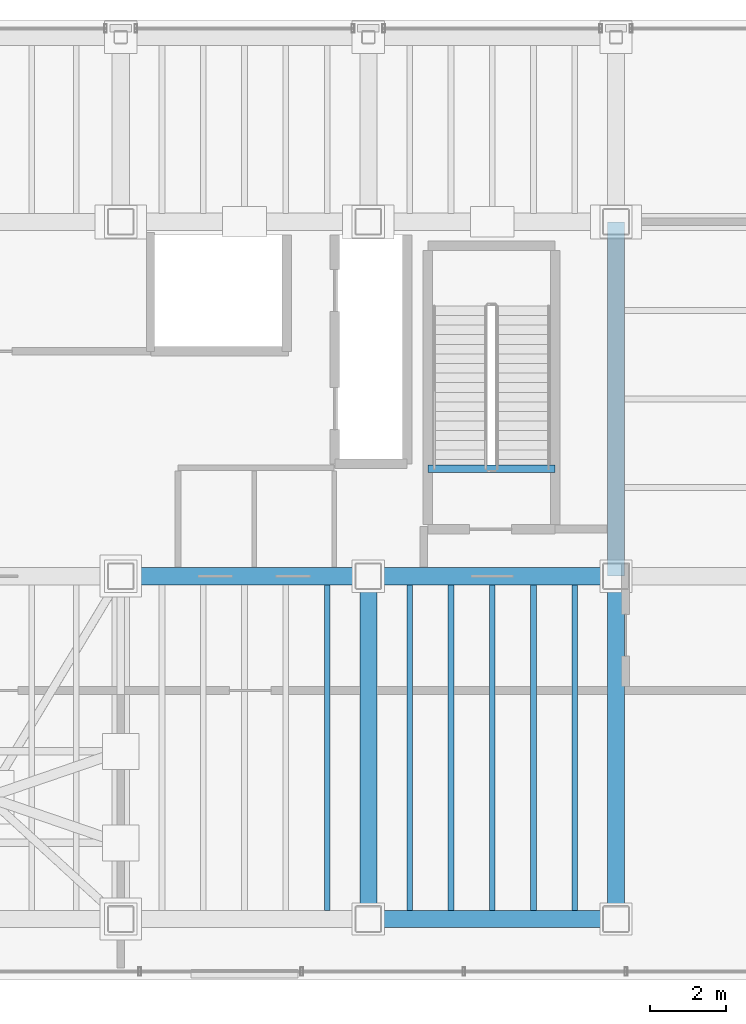
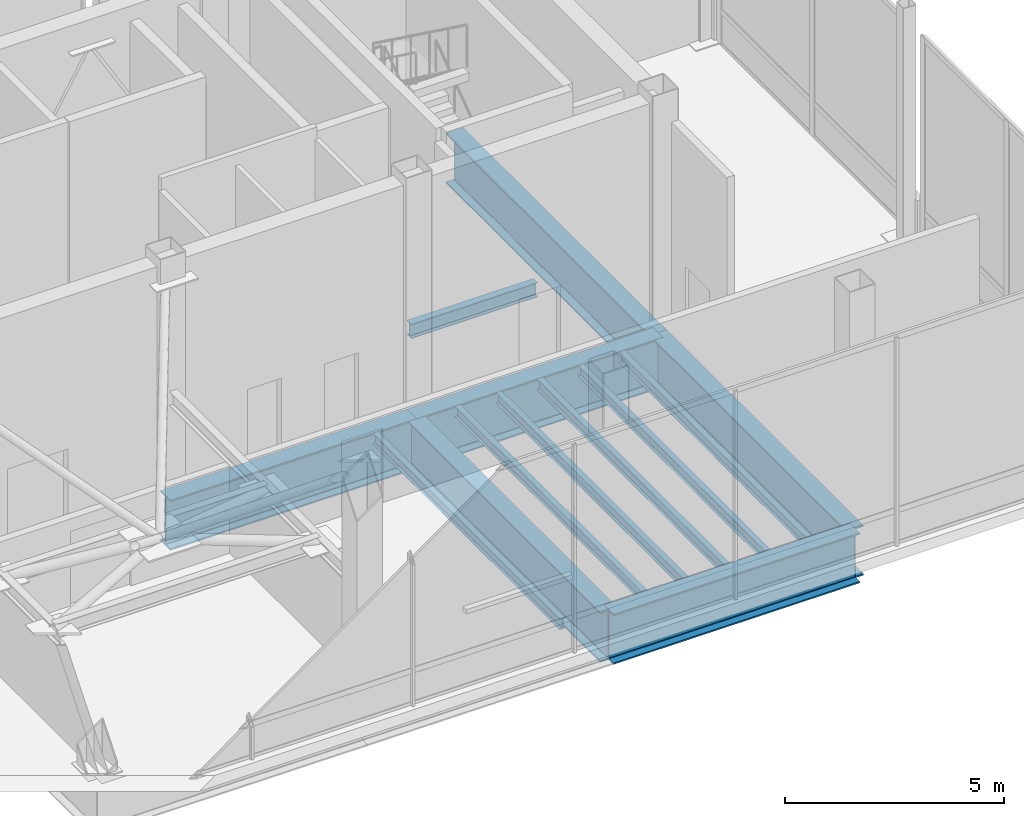
# One storey, part 10 of 19: 13 beams.
"""IFC4 building model written with IfcOpenShell, lengths in metres."""

from ifc_helpers import new_model, si_unit, direction, frame, origin, origin_2d, place, context, subcontext, project, spatial, i_section, extrude, material, material_profile, profile_set, type_object, element, save


model = new_model("IFC4")

# Units and contexts
model_context = context("Model", 3, precision=1e-05, world=origin(), true_north=direction((0.0, 1.0)))
body_context = subcontext(model_context, "Body", "Model", "MODEL_VIEW")
ifc_project = project(units=[si_unit("LENGTHUNIT", "METRE"), si_unit("AREAUNIT", "SQUARE_METRE"), si_unit("VOLUMEUNIT", "CUBIC_METRE"), si_unit("PLANEANGLEUNIT", "RADIAN"), si_unit("MASSUNIT", "GRAM", prefix="KILO")], contexts=[model_context])

# Site, building, storey
site_placement = place(None, origin())
site = spatial("IfcSite", under=ifc_project, at=site_placement, CompositionType="ELEMENT")
building_placement = place(site_placement, origin())
building = spatial("IfcBuilding", under=site, at=building_placement, Name="Noeulbin Bourse Tower", CompositionType="ELEMENT")
storey_placement = place(building_placement, frame((0.0, 0.0, 306.0)))
storey = spatial("IfcBuildingStorey", under=building, at=storey_placement, Name="L76", CompositionType="ELEMENT", Elevation=306.0)

# Beams
ifc_material_1 = material(Name="Steel S355", Category="steel")
ifc_material_profile_1 = material_profile(ifc_material_1, i_section(OverallWidth=0.14990234375, OverallDepth=0.300048828125, WebThickness=0.006591796875, FlangeThickness=0.009033203125, FilletRadius=0.012939453125, at=origin_2d()), Name="H-300x150x6.5x9", Category="LoadBearing")
ifc_profile_set_1 = profile_set([ifc_material_profile_1], Name="Steel S355")
beam_type_1 = type_object("IfcBeamType", Name="BM-JST-300", PredefinedType="JOIST", material=ifc_profile_set_1)
for number, where, z_axis, x_axis, name in (
    (1, (36.416748046875, 20.22509765625, -0.449951171875), (0.0, 1.0, 0.0), (-1.0, 0.0, 0.0), "Tower Composite Joist L76-19"),
    (2, (38.583251953125, 20.22509765625, -0.449951171875), (0.0, 1.0, 0.0), (-1.0, 0.0, 0.0), "Tower Composite Joist L76-21"),
    (3, (39.666748046875, 20.22509765625, -0.449951171875), (0.0, 1.0, 0.0), (-1.0, 0.0, 0.0), "Tower Composite Joist L76-23"),
    (4, (40.75, 20.22509765625, -0.449951171875), (0.0, 1.0, 0.0), (-1.0, 0.0, 0.0), "Tower Composite Joist L76-25"),
    (5, (41.833251953125, 20.22509765625, -0.449951171875), (0.0, 1.0, 0.0), (-1.0, 0.0, 0.0), "Tower Composite Joist L76-27"),
    (6, (42.916748046875, 20.22509765625, -0.449951171875), (0.0, 1.0, 0.0), (-1.0, 0.0, 0.0), "Tower Composite Joist L76-29"),
):
    element("IfcBeam", number, at=place(storey_placement, frame(where, z_axis=z_axis, x_axis=x_axis)), inside=storey, type_object=beam_type_1, Name=name, PredefinedType="JOIST", context=body_context, shape_type="SweptSolid", body=[
        extrude(i_section(OverallWidth=0.14990234375, OverallDepth=0.300048828125, WebThickness=0.006591796875, FlangeThickness=0.009033203125, FilletRadius=0.012939453125, at=origin_2d()), origin(), (0.0, 0.0, 1.0), 8.5498046875),
    ])
ifc_material_profile_2 = material_profile(ifc_material_1, i_section(OverallWidth=0.199951171875, OverallDepth=0.39990234375, WebThickness=0.008056640625, FlangeThickness=0.012939453125, FilletRadius=0.01611328125, at=origin_2d()), Name="H-400x200x8x13", Category="LoadBearing")
ifc_profile_set_2 = profile_set([ifc_material_profile_2], Name="Steel S355")
beam_type_2 = type_object("IfcBeamType", Name="BM-SEC-400", PredefinedType="BEAM", material=ifc_profile_set_2)
beam_1_placement = place(storey_placement, frame((39.06005859375, 31.820068359375, -0.199951171875), z_axis=(1.0, 0.0, 0.0), x_axis=(0.0, 1.0, 0.0)))
element("IfcBeam", 7, at=beam_1_placement, inside=storey, type_object=beam_type_2, Name="Stair Threshold Trimmer Beam ST2-L76", PredefinedType="BEAM", context=body_context, shape_type="SweptSolid", body=[
    extrude(i_section(OverallWidth=0.199951171875, OverallDepth=0.39990234375, WebThickness=0.008056640625, FlangeThickness=0.012939453125, FilletRadius=0.01611328125, at=origin_2d()), origin(), (0.0, 0.0, 1.0), 3.33984375),
])
ifc_material_2 = material(Name="Steel S460", Category="steel")
ifc_material_profile_3 = material_profile(ifc_material_2, i_section(OverallWidth=0.449951171875, OverallDepth=1.39990234375, WebThickness=0.02392578125, FlangeThickness=0.0400390625, FilletRadius=0.02392578125, at=origin_2d()), Name="PG-1400x450x24x40", Category="LoadBearing")
ifc_profile_set_3 = profile_set([ifc_material_profile_3], Name="Steel S460")
beam_type_3 = type_object("IfcBeamType", Name="BM-TRF-1400", PredefinedType="USERDEFINED", material=ifc_profile_set_3)
for number, where, z_axis, x_axis, name in (
    (8, (37.5, 20.0, -1.0), (1.0, 0.0, 0.0), (0.0, 1.0, 0.0), "Tower Primary Girder EW L76-1.3"),
    (9, (31.0, 29.0, -1.0), (1.0, 0.0, 0.0), (0.0, 1.0, 0.0), "Tower Primary Girder EW L76-2.2"),
    (10, (37.5, 29.0, -1.0), (1.0, 0.0, 0.0), (0.0, 1.0, 0.0), "Tower Primary Girder EW L76-2.3"),
):
    element("IfcBeam", number, at=place(storey_placement, frame(where, z_axis=z_axis, x_axis=x_axis)), inside=storey, type_object=beam_type_3, Name=name, ObjectType="GIRDER", PredefinedType="USERDEFINED", context=body_context, shape_type="SweptSolid", body=[
        extrude(i_section(OverallWidth=0.449951171875, OverallDepth=1.39990234375, WebThickness=0.02392578125, FlangeThickness=0.0400390625, FilletRadius=0.02392578125, at=origin_2d()), origin(), (0.0, 0.0, 1.0), 6.5),
    ])
for number, where, z_axis, x_axis, name in (
    (11, (37.5, 20.0, -1.0), (0.0, 1.0, 0.0), (-1.0, 0.0, 0.0), "Tower Primary Girder NS L76-4.1"),
    (12, (44.0, 20.0, -1.0), (0.0, 1.0, 0.0), (-1.0, 0.0, 0.0), "Tower Primary Girder NS L76-5.1"),
):
    element("IfcBeam", number, at=place(storey_placement, frame(where, z_axis=z_axis, x_axis=x_axis)), inside=storey, type_object=beam_type_3, Name=name, ObjectType="GIRDER", PredefinedType="USERDEFINED", context=body_context, shape_type="SweptSolid", body=[
        extrude(i_section(OverallWidth=0.449951171875, OverallDepth=1.39990234375, WebThickness=0.02392578125, FlangeThickness=0.0400390625, FilletRadius=0.02392578125, at=origin_2d()), origin(), (0.0, 0.0, 1.0), 9.0),
    ])
beam_2_placement = place(storey_placement, frame((44.0, 29.0, -1.0), z_axis=(0.0, 1.0, 0.0), x_axis=(-1.0, 0.0, 0.0)))
element("IfcBeam", 13, at=beam_2_placement, inside=storey, type_object=beam_type_3, Name="Tower Primary Girder NS L76-5.2", ObjectType="GIRDER", PredefinedType="USERDEFINED", context=body_context, shape_type="SweptSolid", body=[
    extrude(i_section(OverallWidth=0.449951171875, OverallDepth=1.39990234375, WebThickness=0.02392578125, FlangeThickness=0.0400390625, FilletRadius=0.02392578125, at=origin_2d()), origin(), (0.0, 0.0, 1.0), 9.300048828125),
])

save(model, "model.ifc")
